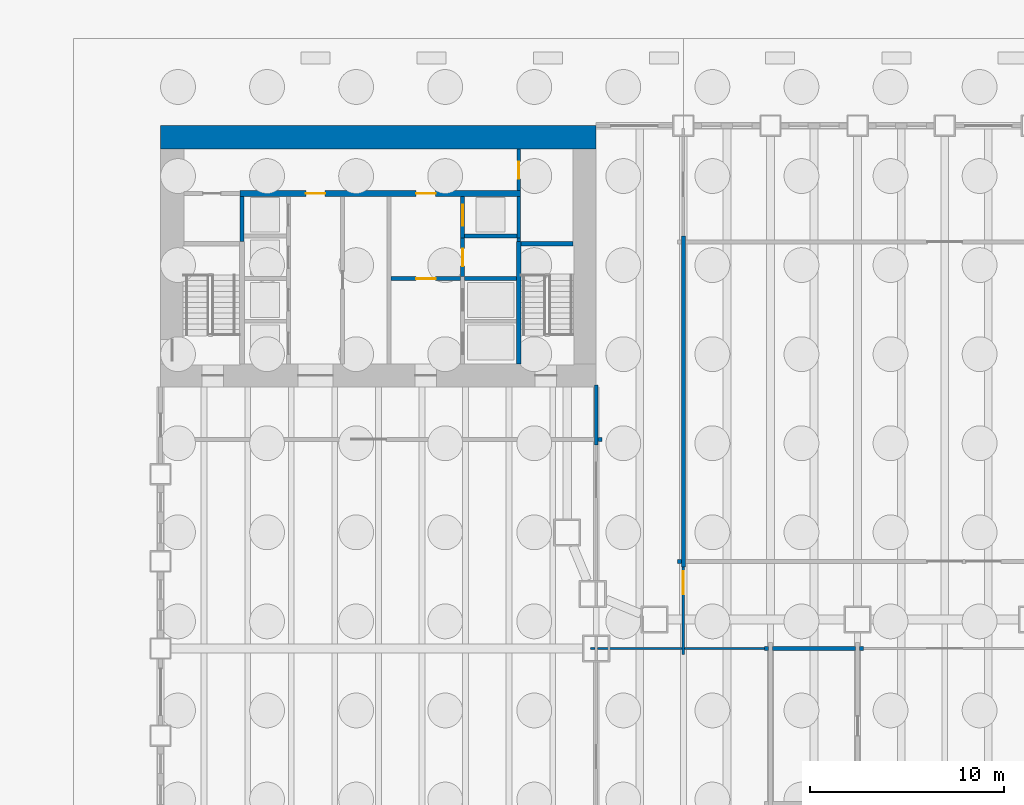
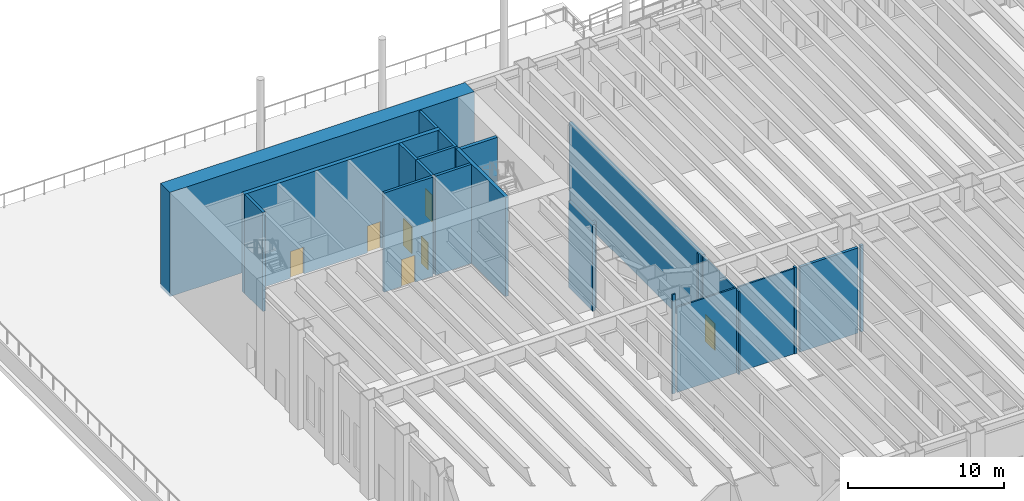
# One storey, part 11 of 26: 24 walls, 7 doors, 7 openings.
"""IFC4 building model written with IfcOpenShell, lengths in metres."""

from ifc_helpers import new_model, si_unit, direction, frame, frame_2d, origin, place, context, subcontext, project, spatial, rectangle, extrude, material, layer, layer_set, type_object, element, fill, save


model = new_model("IFC4")

# Units and contexts
model_context = context("Model", 3, precision=1e-05, world=origin(), true_north=direction((0.0, 1.0)))
body_context = subcontext(model_context, "Body", "Model", "MODEL_VIEW")
ifc_project = project(units=[si_unit("LENGTHUNIT", "METRE"), si_unit("AREAUNIT", "SQUARE_METRE"), si_unit("VOLUMEUNIT", "CUBIC_METRE"), si_unit("PLANEANGLEUNIT", "RADIAN"), si_unit("MASSUNIT", "GRAM", prefix="KILO")], contexts=[model_context])

# Site, building, storey
site_placement = place(None, origin())
site = spatial("IfcSite", under=ifc_project, at=site_placement, CompositionType="ELEMENT")
building_placement = place(site_placement, origin())
building = spatial("IfcBuilding", under=site, at=building_placement, Name="Sennacour Bend Tower", CompositionType="ELEMENT")
storey_placement = place(building_placement, origin())
storey = spatial("IfcBuildingStorey", under=building, at=storey_placement, Name="L00", CompositionType="ELEMENT", Elevation=0.0)

# Walls
ifc_material_1 = material(Name="Concrete C80/95", Category="concrete")
ifc_layer_1 = layer(ifc_material_1, 1.199951171875, Name="Concrete C80/95", Category="concrete")
ifc_layer_set_1 = layer_set([ifc_layer_1], Name="Concrete C80/95")
wall_type_1 = type_object("IfcWallType", Name="Core wall 1200 C80/95", PredefinedType="SHEAR", material=ifc_layer_set_1)
wall_1_placement = place(storey_placement, frame((0.0, 48.89990234375, -0.300048828125), z_axis=(0.0, 0.0, 1.0), x_axis=(1.0, 0.0, 0.0)))
element("IfcWall", 1, at=wall_1_placement, inside=storey, type_object=wall_type_1, Name="Core B wall L00 N", PredefinedType="SHEAR", context=body_context, shape_type="SweptSolid", body=[
    extrude(rectangle(XDim=22.5, YDim=1.199951171875, at=frame_2d((11.25, 0.0))), origin(), (0.0, 0.0, 1.0), 8.150146484375),
])
ifc_material_2 = material(Name="Plasterboard partition on steel studs", Category="steel")
ifc_layer_2 = layer(ifc_material_2, 0.1201171875, Name="Plasterboard partition on steel studs", Category="steel")
ifc_layer_set_2 = layer_set([ifc_layer_2], Name="Plasterboard partition on steel studs")
wall_type_2 = type_object("IfcWallType", Name="Partition 120", PredefinedType="PARTITIONING", material=ifc_layer_set_2)
wall_2_placement = place(storey_placement, frame((22.199951171875, 22.5, 0.0), z_axis=(0.0, 0.0, 1.0), x_axis=(1.0, 0.0, 0.0)))
element("IfcWall", 2, at=wall_2_placement, inside=storey, type_object=wall_type_2, Name="P-L00-W069aa", PredefinedType="PARTITIONING", context=body_context, shape_type="SweptSolid", body=[
    extrude(rectangle(XDim=0.239990234375, YDim=0.1201171875, at=frame_2d((0.1201171875, 0.0))), origin(), (0.0, 0.0, 1.0), 7.75),
])
wall_3_placement = place(storey_placement, frame((22.56005859375, 22.5, 0.0), z_axis=(0.0, 0.0, 1.0), x_axis=(1.0, 0.0, 0.0)))
element("IfcWall", 3, at=wall_3_placement, inside=storey, type_object=wall_type_2, Name="P-L00-W069ab", PredefinedType="PARTITIONING", context=body_context, shape_type="SweptSolid", body=[
    extrude(rectangle(XDim=4.3798828125, YDim=0.1201171875, at=frame_2d((2.18994140625, 0.0))), origin(), (0.0, 0.0, 1.0), 6.66015625),
])
wall_4_placement = place(storey_placement, frame((27.06005859375, 22.5, 0.0), z_axis=(0.0, 0.0, 1.0), x_axis=(1.0, 0.0, 0.0)))
element("IfcWall", 4, at=wall_4_placement, inside=storey, type_object=wall_type_2, Name="P-L00-W069ac", PredefinedType="PARTITIONING", context=body_context, shape_type="SweptSolid", body=[
    extrude(rectangle(XDim=4.139892578125, YDim=0.1201171875, at=frame_2d((2.06982421875, 0.0))), origin(), (0.0, 0.0, 1.0), 6.66015625),
])

# Wall, opening, door
ifc_layer_3 = layer(ifc_material_2, 0.1201171875, Name="Plasterboard partition on steel studs", Category="steel")
ifc_layer_set_3 = layer_set([ifc_layer_3], Name="Plasterboard partition on steel studs")
wall_type_3 = type_object("IfcWallType", Name="Partition 120 EI 60", PredefinedType="PARTITIONING", material=ifc_layer_set_3)
wall_5_placement = place(storey_placement, frame((27.0, 22.199951171875, 0.0), z_axis=(0.0, 0.0, 1.0), x_axis=(0.0, 1.0, 0.0)))
wall_5 = element("IfcWall", 5, at=wall_5_placement, inside=storey, type_object=wall_type_3, Name="P-L00-W024a", PredefinedType="PARTITIONING", context=body_context, shape_type="SweptSolid", body=[
    extrude(rectangle(XDim=4.5, YDim=0.1201171875, at=frame_2d((2.25, 0.0))), origin(), (0.0, 0.0, 1.0), 6.5),
])
opening_1_placement = place(wall_5_placement, frame((3.10009765625, 0.0, 0.0)))
opening_1 = element("IfcOpeningElement", 6, at=opening_1_placement, cuts=wall_5, Name="Opening CD3", PredefinedType="OPENING", context=body_context, shape_type="SweptSolid", body=[
    extrude(rectangle(XDim=1.199951171875, YDim=2.10009765625, at=frame_2d((0.60009765625, 1.050048828125))), frame((0.0, 0.070068359375, 0.0), z_axis=(0.0, -1.0, 0.0), x_axis=(1.0, 0.0, 0.0)), (0.0, 0.0, 1.0), 0.14013671875),
])
ifc_material_3 = material(Name="Painted steel", Category="steel")
door_type_1 = type_object("IfcDoorType", Name="DR-LOBBY-1200", OperationType="NOTDEFINED", PredefinedType="DOOR", material=ifc_material_3)
door_1_placement = place(opening_1_placement, origin())
door_1 = element("IfcDoor", 7, at=door_1_placement, inside=storey, type_object=door_type_1, Name="Door", OperationType="SINGLE_SWING_RIGHT", OverallHeight=2.10009765625, OverallWidth=1.199951171875, PredefinedType="DOOR", context=body_context, shape_type="SweptSolid", body=[
    extrude(rectangle(XDim=1.199951171875, YDim=2.10009765625, at=frame_2d((0.60009765625, 1.050048828125))), frame((0.0, 0.02490234375, 0.0), z_axis=(0.0, -1.0, 0.0), x_axis=(1.0, 0.0, 0.0)), (0.0, 0.0, 1.0), 0.050048828125),
])
fill(opening_1, door_1)

ifc_material_4 = material(Name="Fire-rated plasterboard partition on steel studs", Category="steel")
ifc_layer_4 = layer(ifc_material_4, 0.199951171875, Name="Fire-rated plasterboard partition on steel studs", Category="steel")
ifc_layer_set_4 = layer_set([ifc_layer_4], Name="Fire-rated plasterboard partition on steel studs")
wall_type_4 = type_object("IfcWallType", Name="Rated partition 200", PredefinedType="PARTITIONING", material=ifc_layer_set_4)
wall_6_placement = place(storey_placement, frame((15.60009765625, 41.699951171875, 0.0), z_axis=(0.0, 0.0, 1.0), x_axis=(0.0, 1.0, 0.0)))
wall_6 = element("IfcWall", 8, at=wall_6_placement, inside=storey, type_object=wall_type_4, Name="P-L00-W014", PredefinedType="PARTITIONING", context=body_context, shape_type="SweptSolid", body=[
    extrude(rectangle(XDim=2.0, YDim=0.199951171875, at=frame_2d((1.0, 0.0))), origin(), (0.0, 0.0, 1.0), 7.75),
])
opening_2_placement = place(wall_6_placement, frame((0.550048828125, 0.0, 0.0)))
opening_2 = element("IfcOpeningElement", 9, at=opening_2_placement, cuts=wall_6, Name="Opening SV", PredefinedType="OPENING", context=body_context, shape_type="SweptSolid", body=[
    extrude(rectangle(XDim=0.89990234375, YDim=2.10009765625, at=frame_2d((0.449951171875, 1.050048828125))), frame((0.0, 0.10986328125, 0.0), z_axis=(0.0, -1.0, 0.0), x_axis=(1.0, 0.0, 0.0)), (0.0, 0.0, 1.0), 0.219970703125),
])
door_type_2 = type_object("IfcDoorType", Name="DR-SERVICE-900", OperationType="NOTDEFINED", PredefinedType="DOOR", material=ifc_material_3)
door_2_placement = place(opening_2_placement, origin())
door_2 = element("IfcDoor", 10, at=door_2_placement, inside=storey, type_object=door_type_2, Name="Door", OperationType="SINGLE_SWING_RIGHT", OverallHeight=2.10009765625, OverallWidth=0.89990234375, PredefinedType="DOOR", context=body_context, shape_type="SweptSolid", body=[
    extrude(rectangle(XDim=0.89990234375, YDim=2.10009765625, at=frame_2d((0.449951171875, 1.050048828125))), frame((0.0, 0.02490234375, 0.0), z_axis=(0.0, -1.0, 0.0), x_axis=(1.0, 0.0, 0.0)), (0.0, 0.0, 1.0), 0.050048828125),
])
fill(opening_2, door_2)

# Wall
wall_7_placement = place(storey_placement, frame((18.5, 43.52490234375, 0.0), z_axis=(0.0, 0.0, 1.0), x_axis=(0.0, 1.0, 0.0)))
element("IfcWall", 11, at=wall_7_placement, inside=storey, type_object=wall_type_4, Name="P-L00-W018", PredefinedType="PARTITIONING", context=body_context, shape_type="SweptSolid", body=[
    extrude(rectangle(XDim=0.175048828125, YDim=0.199951171875, at=frame_2d((0.08740234375, 0.0))), origin(), (0.0, 0.0, 1.0), 7.75),
])

# Wall, opening, door
wall_8_placement = place(storey_placement, frame((18.5, 46.14990234375, 0.0), z_axis=(0.0, 0.0, 1.0), x_axis=(0.0, 1.0, 0.0)))
wall_8 = element("IfcWall", 12, at=wall_8_placement, inside=storey, type_object=wall_type_4, Name="P-L00-W020", PredefinedType="PARTITIONING", context=body_context, shape_type="SweptSolid", body=[
    extrude(rectangle(XDim=2.150146484375, YDim=0.199951171875, at=frame_2d((1.0751953125, 0.0))), origin(), (0.0, 0.0, 1.0), 7.75),
])
opening_3_placement = place(wall_8_placement, frame((0.60009765625, 0.0, 0.0)))
opening_3 = element("IfcOpeningElement", 13, at=opening_3_placement, cuts=wall_8, Name="Opening SV", PredefinedType="OPENING", context=body_context, shape_type="SweptSolid", body=[
    extrude(rectangle(XDim=0.89990234375, YDim=2.10009765625, at=frame_2d((0.449951171875, 1.050048828125))), frame((0.0, 0.10986328125, 0.0), z_axis=(0.0, -1.0, 0.0), x_axis=(1.0, 0.0, 0.0)), (0.0, 0.0, 1.0), 0.219970703125),
])
door_3_placement = place(opening_3_placement, origin())
door_3 = element("IfcDoor", 14, at=door_3_placement, inside=storey, type_object=door_type_2, Name="Door", OperationType="SINGLE_SWING_LEFT", OverallHeight=2.10009765625, OverallWidth=0.89990234375, PredefinedType="DOOR", context=body_context, shape_type="SweptSolid", body=[
    extrude(rectangle(XDim=0.89990234375, YDim=2.10009765625, at=frame_2d((0.449951171875, 1.050048828125))), frame((0.0, 0.02490234375, 0.0), z_axis=(0.0, -1.0, 0.0), x_axis=(1.0, 0.0, 0.0)), (0.0, 0.0, 1.0), 0.050048828125),
])
fill(opening_3, door_3)

# Walls
wall_9_placement = place(storey_placement, frame((22.5, 33.0, 0.0), z_axis=(0.0, 0.0, 1.0), x_axis=(0.0, 1.0, 0.0)))
element("IfcWall", 15, at=wall_9_placement, inside=storey, type_object=wall_type_4, Name="P-L00-W022a", PredefinedType="PARTITIONING", context=body_context, shape_type="SweptSolid", body=[
    extrude(rectangle(XDim=3.10009765625, YDim=0.199951171875, at=frame_2d((1.550048828125, 0.0))), origin(), (0.0, 0.0, 1.0), 6.7587890625),
])
wall_10_placement = place(storey_placement, frame((27.0, 26.699951171875, 0.0), z_axis=(0.0, 0.0, 1.0), x_axis=(0.0, 1.0, 0.0)))
element("IfcWall", 16, at=wall_10_placement, inside=storey, type_object=wall_type_4, Name="P-L00-W025a", PredefinedType="PARTITIONING", context=body_context, shape_type="SweptSolid", body=[
    extrude(rectangle(XDim=17.10009765625, YDim=0.199951171875, at=frame_2d((8.550048828125, 0.0))), origin(), (0.0, 0.0, 1.0), 6.66015625),
])
wall_11_placement = place(storey_placement, frame((31.199951171875, 22.5, 0.0), z_axis=(0.0, 0.0, 1.0), x_axis=(1.0, 0.0, 0.0)))
element("IfcWall", 17, at=wall_11_placement, inside=storey, type_object=wall_type_4, Name="P-L00-W070aa", PredefinedType="PARTITIONING", context=body_context, shape_type="SweptSolid", body=[
    extrude(rectangle(XDim=0.199951171875, YDim=0.199951171875, at=frame_2d((0.10009765625, 0.0))), origin(), (0.0, 0.0, 1.0), 6.7587890625),
])
wall_12_placement = place(storey_placement, frame((31.60009765625, 22.5, 0.0), z_axis=(0.0, 0.0, 1.0), x_axis=(1.0, 0.0, 0.0)))
element("IfcWall", 18, at=wall_12_placement, inside=storey, type_object=wall_type_4, Name="P-L00-W070ab", PredefinedType="PARTITIONING", context=body_context, shape_type="SweptSolid", body=[
    extrude(rectangle(XDim=4.2998046875, YDim=0.199951171875, at=frame_2d((2.14990234375, 0.0))), origin(), (0.0, 0.0, 1.0), 6.66015625),
])
wall_13_placement = place(storey_placement, frame((36.10009765625, 22.5, 0.0), z_axis=(0.0, 0.0, 1.0), x_axis=(1.0, 0.0, 0.0)))
element("IfcWall", 19, at=wall_13_placement, inside=storey, type_object=wall_type_4, Name="P-L00-W070ac", PredefinedType="PARTITIONING", context=body_context, shape_type="SweptSolid", body=[
    extrude(rectangle(XDim=0.199951171875, YDim=0.199951171875, at=frame_2d((0.10009765625, 0.0))), origin(), (0.0, 0.0, 1.0), 6.7587890625),
])
wall_14_placement = place(storey_placement, frame((26.699951171875, 27.0, 0.0), z_axis=(0.0, 0.0, 1.0), x_axis=(1.0, 0.0, 0.0)))
element("IfcWall", 20, at=wall_14_placement, inside=storey, type_object=wall_type_4, Name="P-L00-W072aa", PredefinedType="PARTITIONING", context=body_context, shape_type="SweptSolid", body=[
    extrude(rectangle(XDim=0.199951171875, YDim=0.199951171875, at=frame_2d((0.10009765625, 0.0))), origin(), (0.0, 0.0, 1.0), 6.66015625),
])
wall_15_placement = place(storey_placement, frame((22.60009765625, 33.300048828125, 0.0), z_axis=(0.0, 0.0, 1.0), x_axis=(1.0, 0.0, 0.0)))
element("IfcWall", 21, at=wall_15_placement, inside=storey, type_object=wall_type_4, Name="P-L00-W074ab", PredefinedType="PARTITIONING", context=body_context, shape_type="SweptSolid", body=[
    extrude(rectangle(XDim=0.199951171875, YDim=0.199951171875, at=frame_2d((0.10009765625, 0.0))), origin(), (0.0, 0.0, 1.0), 6.7587890625),
])

# Wall, opening, door
ifc_layer_5 = layer(ifc_material_4, 0.199951171875, Name="Fire-rated plasterboard partition on steel studs", Category="steel")
ifc_layer_set_5 = layer_set([ifc_layer_5], Name="Fire-rated plasterboard partition on steel studs")
wall_type_5 = type_object("IfcWallType", Name="Rated partition 200 EI 90", PredefinedType="PARTITIONING", material=ifc_layer_set_5)
wall_16_placement = place(storey_placement, frame((11.89990234375, 41.60009765625, 0.0), z_axis=(0.0, 0.0, 1.0), x_axis=(1.0, 0.0, 0.0)))
wall_16 = element("IfcWall", 22, at=wall_16_placement, inside=storey, type_object=wall_type_5, Name="P-L00-W078", PredefinedType="PARTITIONING", context=body_context, shape_type="SweptSolid", body=[
    extrude(rectangle(XDim=3.60009765625, YDim=0.199951171875, at=frame_2d((1.800048828125, 0.0))), origin(), (0.0, 0.0, 1.0), 7.75),
])
opening_4_placement = place(wall_16_placement, frame((1.300048828125, 0.0, 0.0)))
opening_4 = element("IfcOpeningElement", 23, at=opening_4_placement, cuts=wall_16, Name="Opening FD2", PredefinedType="OPENING", context=body_context, shape_type="SweptSolid", body=[
    extrude(rectangle(XDim=1.0, YDim=2.10009765625, at=frame_2d((0.5, 1.050048828125))), frame((0.0, 0.10986328125, 0.0), z_axis=(0.0, -1.0, 0.0), x_axis=(1.0, 0.0, 0.0)), (0.0, 0.0, 1.0), 0.219970703125),
])
door_type_3 = type_object("IfcDoorType", Name="DR-FFL-1000", OperationType="NOTDEFINED", PredefinedType="DOOR", material=ifc_material_3)
door_4_placement = place(opening_4_placement, origin())
door_4 = element("IfcDoor", 24, at=door_4_placement, inside=storey, type_object=door_type_3, Name="Door", OperationType="SINGLE_SWING_RIGHT", OverallHeight=2.10009765625, OverallWidth=1.0, PredefinedType="DOOR", context=body_context, shape_type="SweptSolid", body=[
    extrude(rectangle(XDim=1.0, YDim=2.10009765625, at=frame_2d((0.5, 1.050048828125))), frame((0.0, 0.02490234375, 0.0), z_axis=(0.0, -1.0, 0.0), x_axis=(1.0, 0.0, 0.0)), (0.0, 0.0, 1.0), 0.050048828125),
])
fill(opening_4, door_4)

# Wall
ifc_material_5 = material(Name="Concrete C50/60", Category="concrete")
ifc_layer_6 = layer(ifc_material_5, 0.199951171875, Name="Concrete C50/60", Category="concrete")
ifc_layer_set_6 = layer_set([ifc_layer_6], Name="Concrete C50/60")
wall_type_6 = type_object("IfcWallType", Name="Shaft wall 200", PredefinedType="SOLIDWALL", material=ifc_layer_set_6)
wall_17_placement = place(storey_placement, frame((4.199951171875, 43.52490234375, 0.0), z_axis=(0.0, 0.0, 1.0), x_axis=(0.0, 1.0, 0.0)))
element("IfcWall", 25, at=wall_17_placement, inside=storey, type_object=wall_type_6, Name="P-L00-W007", PredefinedType="SOLIDWALL", context=body_context, shape_type="SweptSolid", body=[
    extrude(rectangle(XDim=2.3251953125, YDim=0.199951171875, at=frame_2d((1.16259765625, 0.0))), origin(), (0.0, 0.0, 1.0), 7.75),
])

# Wall, opening, door
wall_18_placement = place(storey_placement, frame((15.60009765625, 43.699951171875, 0.0), z_axis=(0.0, 0.0, 1.0), x_axis=(0.0, 1.0, 0.0)))
wall_18 = element("IfcWall", 26, at=wall_18_placement, inside=storey, type_object=wall_type_6, Name="P-L00-W015", PredefinedType="SOLIDWALL", context=body_context, shape_type="SweptSolid", body=[
    extrude(rectangle(XDim=2.150146484375, YDim=0.199951171875, at=frame_2d((1.0751953125, 0.0))), origin(), (0.0, 0.0, 1.0), 7.75),
])
opening_5_placement = place(wall_18_placement, frame((0.625, 0.0, 0.011962890625)))
opening_5 = element("IfcOpeningElement", 27, at=opening_5_placement, cuts=wall_18, Name="Opening LD", PredefinedType="OPENING", context=body_context, shape_type="SweptSolid", body=[
    extrude(rectangle(XDim=1.10009765625, YDim=2.10009765625, at=frame_2d((0.550048828125, 1.050048828125))), frame((0.0, 0.10986328125, 0.0), z_axis=(0.0, -1.0, 0.0), x_axis=(1.0, 0.0, 0.0)), (0.0, 0.0, 1.0), 0.219970703125),
])
ifc_material_6 = material(Name="Stainless steel", Category="steel")
door_type_4 = type_object("IfcDoorType", Name="DR-LANDING-1100", OperationType="NOTDEFINED", PredefinedType="DOOR", material=ifc_material_6)
door_5_placement = place(opening_5_placement, origin())
door_5 = element("IfcDoor", 28, at=door_5_placement, inside=storey, type_object=door_type_4, Name="Lift landing door LB5", OperationType="SLIDING_TO_RIGHT", OverallHeight=2.10009765625, OverallWidth=1.10009765625, PredefinedType="DOOR", context=body_context, shape_type="SweptSolid", body=[
    extrude(rectangle(XDim=1.10009765625, YDim=2.10009765625, at=frame_2d((0.550048828125, 1.050048828125))), frame((0.0, 0.02490234375, 0.0), z_axis=(0.0, -1.0, 0.0), x_axis=(1.0, 0.0, 0.0)), (0.0, 0.0, 1.0), 0.050048828125),
])
fill(opening_5, door_5)

# Walls
wall_19_placement = place(storey_placement, frame((18.5, 43.699951171875, 0.0), z_axis=(0.0, 0.0, 1.0), x_axis=(0.0, 1.0, 0.0)))
element("IfcWall", 29, at=wall_19_placement, inside=storey, type_object=wall_type_6, Name="P-L00-W019", PredefinedType="SOLIDWALL", context=body_context, shape_type="SweptSolid", body=[
    extrude(rectangle(XDim=2.150146484375, YDim=0.199951171875, at=frame_2d((1.0751953125, 0.0))), origin(), (0.0, 0.0, 1.0), 7.75),
])
wall_20_placement = place(storey_placement, frame((15.699951171875, 41.60009765625, 0.0), z_axis=(0.0, 0.0, 1.0), x_axis=(1.0, 0.0, 0.0)))
element("IfcWall", 30, at=wall_20_placement, inside=storey, type_object=wall_type_6, Name="P-L00-W079", PredefinedType="SOLIDWALL", context=body_context, shape_type="SweptSolid", body=[
    extrude(rectangle(XDim=2.675048828125, YDim=0.199951171875, at=frame_2d((1.33740234375, 0.0))), origin(), (0.0, 0.0, 1.0), 7.75),
])
wall_21_placement = place(storey_placement, frame((15.699951171875, 43.800048828125, 0.0), z_axis=(0.0, 0.0, 1.0), x_axis=(1.0, 0.0, 0.0)))
element("IfcWall", 31, at=wall_21_placement, inside=storey, type_object=wall_type_6, Name="P-L00-W084", PredefinedType="SOLIDWALL", context=body_context, shape_type="SweptSolid", body=[
    extrude(rectangle(XDim=2.699951171875, YDim=0.199951171875, at=frame_2d((1.35009765625, 0.0))), origin(), (0.0, 0.0, 1.0), 7.75),
])

# Wall, openings, doors
ifc_material_7 = material(Name="Concrete C60/75", Category="concrete")
ifc_layer_7 = layer(ifc_material_7, 0.300048828125, Name="Concrete C60/75", Category="concrete")
ifc_layer_set_7 = layer_set([ifc_layer_7], Name="Concrete C60/75")
wall_type_7 = type_object("IfcWallType", Name="Spine wall 300", PredefinedType="SHEAR", material=ifc_layer_set_7)
wall_22_placement = place(storey_placement, frame((4.10009765625, 46.0, 0.0), z_axis=(0.0, 0.0, 1.0), x_axis=(1.0, 0.0, 0.0)))
wall_22 = element("IfcWall", 32, at=wall_22_placement, inside=storey, type_object=wall_type_7, Name="P-L00-W086", PredefinedType="SHEAR", context=body_context, shape_type="SweptSolid", body=[
    extrude(rectangle(XDim=14.5, YDim=0.300048828125, at=frame_2d((7.25, 0.0))), origin(), (0.0, 0.0, 1.0), 7.75),
])
opening_6_placement = place(wall_22_placement, frame((3.39990234375, 0.0, 0.0)))
opening_6 = element("IfcOpeningElement", 33, at=opening_6_placement, cuts=wall_22, Name="Opening CD2", PredefinedType="OPENING", context=body_context, shape_type="SweptSolid", body=[
    extrude(rectangle(XDim=1.0, YDim=2.10009765625, at=frame_2d((0.5, 1.050048828125))), frame((0.0, 0.16015625, 0.0), z_axis=(0.0, -1.0, 0.0), x_axis=(1.0, 0.0, 0.0)), (0.0, 0.0, 1.0), 0.320068359375),
])
opening_7_placement = place(wall_22_placement, frame((9.099853515625, 0.0, 0.0)))
opening_7 = element("IfcOpeningElement", 34, at=opening_7_placement, cuts=wall_22, Name="Opening CD2", PredefinedType="OPENING", context=body_context, shape_type="SweptSolid", body=[
    extrude(rectangle(XDim=1.0, YDim=2.10009765625, at=frame_2d((0.5, 1.050048828125))), frame((0.0, 0.16015625, 0.0), z_axis=(0.0, -1.0, 0.0), x_axis=(1.0, 0.0, 0.0)), (0.0, 0.0, 1.0), 0.320068359375),
])
door_type_5 = type_object("IfcDoorType", Name="DR-LOBBY-1000", OperationType="NOTDEFINED", PredefinedType="DOOR", material=ifc_material_3)
door_6_placement = place(opening_6_placement, origin())
door_6 = element("IfcDoor", 35, at=door_6_placement, inside=storey, type_object=door_type_5, Name="Door", OperationType="SINGLE_SWING_LEFT", OverallHeight=2.10009765625, OverallWidth=1.0, PredefinedType="DOOR", context=body_context, shape_type="SweptSolid", body=[
    extrude(rectangle(XDim=1.0, YDim=2.10009765625, at=frame_2d((0.5, 1.050048828125))), frame((0.0, 0.02490234375, 0.0), z_axis=(0.0, -1.0, 0.0), x_axis=(1.0, 0.0, 0.0)), (0.0, 0.0, 1.0), 0.050048828125),
])
fill(opening_6, door_6)
door_7_placement = place(opening_7_placement, origin())
door_7 = element("IfcDoor", 36, at=door_7_placement, inside=storey, type_object=door_type_5, Name="Door", OperationType="SINGLE_SWING_RIGHT", OverallHeight=2.10009765625, OverallWidth=1.0, PredefinedType="DOOR", context=body_context, shape_type="SweptSolid", body=[
    extrude(rectangle(XDim=1.0, YDim=2.10009765625, at=frame_2d((0.5, 1.050048828125))), frame((0.0, 0.02490234375, 0.0), z_axis=(0.0, -1.0, 0.0), x_axis=(1.0, 0.0, 0.0)), (0.0, 0.0, 1.0), 0.050048828125),
])
fill(opening_7, door_7)

# Walls
ifc_layer_8 = layer(ifc_material_7, 0.25, Name="Concrete C60/75", Category="concrete")
ifc_layer_set_8 = layer_set([ifc_layer_8], Name="Concrete C60/75")
wall_type_8 = type_object("IfcWallType", Name="Stair wall 250", PredefinedType="SHEAR", material=ifc_layer_set_8)
wall_23_placement = place(storey_placement, frame((18.5, 37.199951171875, 0.0), z_axis=(0.0, 0.0, 1.0), x_axis=(0.0, 1.0, 0.0)))
element("IfcWall", 37, at=wall_23_placement, inside=storey, type_object=wall_type_8, Name="P-L00-W017", PredefinedType="SHEAR", context=body_context, shape_type="SweptSolid", body=[
    extrude(rectangle(XDim=6.324951171875, YDim=0.25, at=frame_2d((3.16259765625, 0.0))), origin(), (0.0, 0.0, 1.0), 7.75),
])
wall_24_placement = place(storey_placement, frame((18.625, 43.39990234375, 0.0), z_axis=(0.0, 0.0, 1.0), x_axis=(1.0, 0.0, 0.0)))
element("IfcWall", 38, at=wall_24_placement, inside=storey, type_object=wall_type_8, Name="P-L00-W081", PredefinedType="SHEAR", context=body_context, shape_type="SweptSolid", body=[
    extrude(rectangle(XDim=2.675048828125, YDim=0.25, at=frame_2d((1.33740234375, 0.0))), origin(), (0.0, 0.0, 1.0), 7.75),
])

save(model, "model.ifc")
